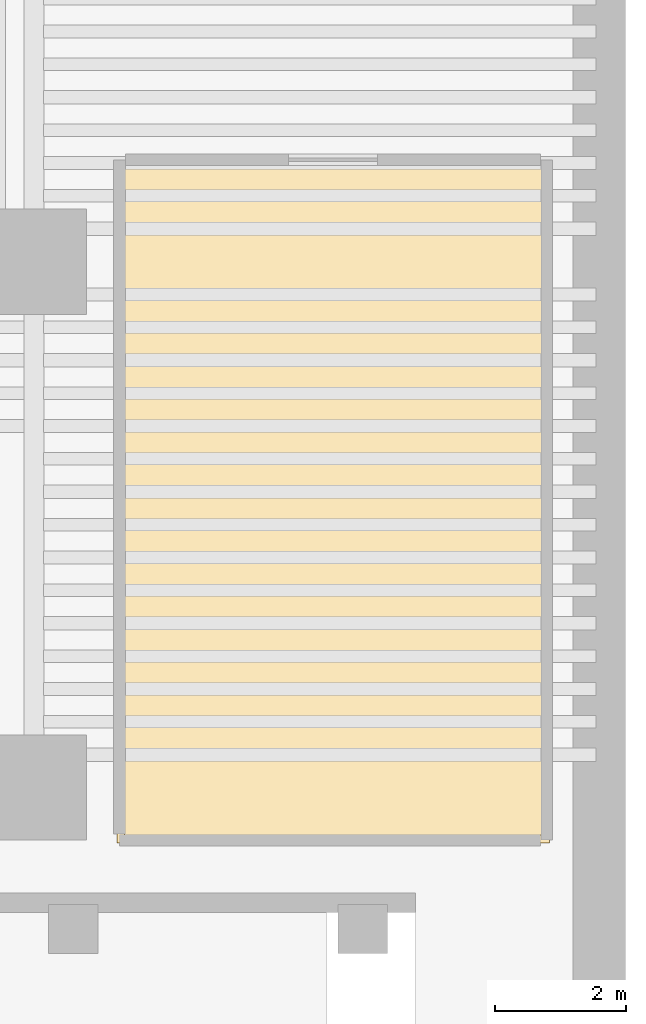
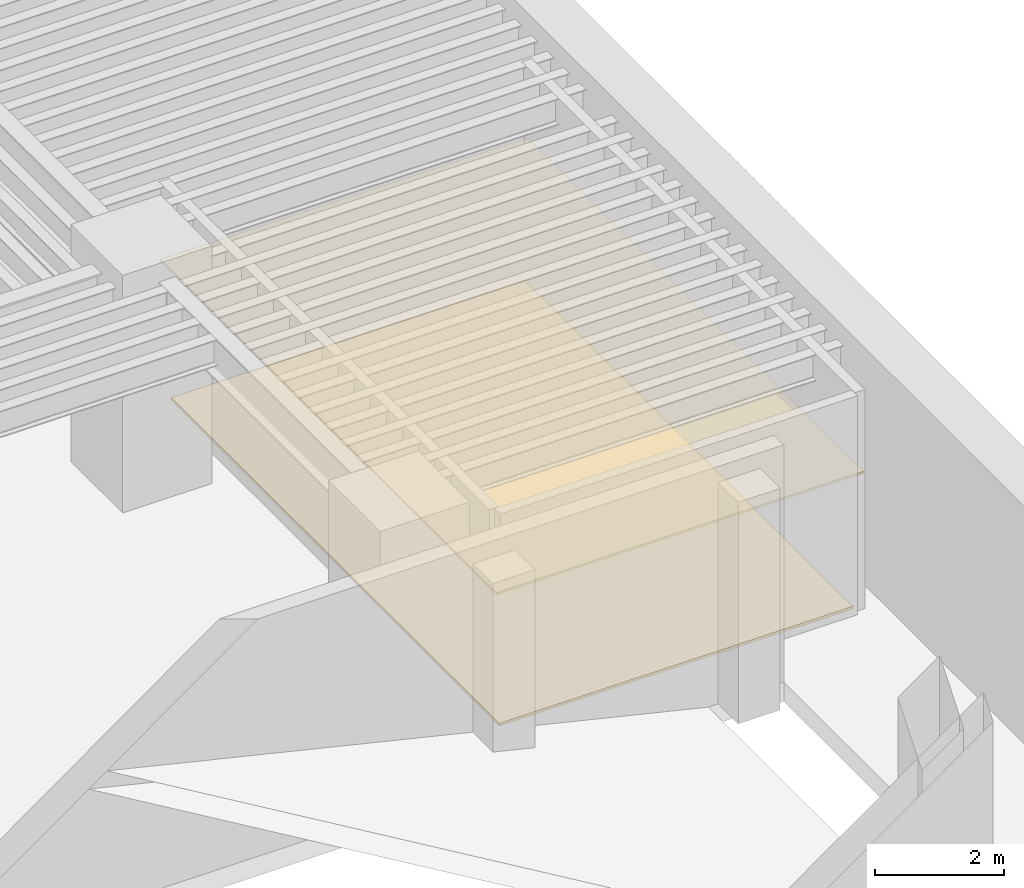
# One storey, part 7 of 9: 2 coverings.
"""IFC4 building model written with IfcOpenShell, lengths in metres."""

from ifc_helpers import new_model, si_unit, direction, frame, origin, place, context, subcontext, project, spatial, polyline, outline, extrude, material, layer, layer_set, type_object, element, save


model = new_model("IFC4")

# Units and contexts
model_context = context("Model", 3, precision=1e-05, world=origin(), true_north=direction((0.0, 1.0)))
body_context = subcontext(model_context, "Body", "Model", "MODEL_VIEW")
ifc_project = project(units=[si_unit("LENGTHUNIT", "METRE"), si_unit("AREAUNIT", "SQUARE_METRE"), si_unit("VOLUMEUNIT", "CUBIC_METRE"), si_unit("PLANEANGLEUNIT", "RADIAN"), si_unit("MASSUNIT", "GRAM", prefix="KILO")], contexts=[model_context])

# Site, building, storey
site_placement = place(None, origin())
site = spatial("IfcSite", under=ifc_project, at=site_placement, CompositionType="ELEMENT")
building_placement = place(site_placement, origin())
building = spatial("IfcBuilding", under=site, at=building_placement, Name="Caeloran Harvest Quay", CompositionType="ELEMENT")
storey_placement = place(building_placement, frame((0.0, 0.0, -13.5)))
storey = spatial("IfcBuildingStorey", under=building, at=storey_placement, Name="B03", CompositionType="ELEMENT", Elevation=-13.5)

# Coverings
ifc_material_1 = material(Name="Perforated Mineral-Fibre Acoustic Ceiling Tile", Category="ceiling")
ifc_layer_1 = layer(ifc_material_1, 0.0400390625, Name="Perforated Mineral-Fibre Acoustic Ceiling Tile")
ifc_layer_set_1 = layer_set([ifc_layer_1], Name="Perforated Mineral-Fibre Acoustic Ceiling Tile")
covering_type_1 = type_object("IfcCoveringType", Name="COV-CEILING-ACOUSTIC", PredefinedType="CEILING", material=ifc_layer_set_1)
covering_1_placement = place(storey_placement, frame((0.0, 0.0, 2.60009765625)))
element("IfcCovering", 1, at=covering_1_placement, inside=storey, type_object=covering_type_1, Name="Hydroponic Nutrient Fertigation Mixing Reservoir Plant Acoustic Ceiling", PredefinedType="CEILING", context=body_context, shape_type="SweptSolid", body=[
    extrude(outline(polyline([(58.840087890625, 24.590087890625), (58.840087890625, 14.159912109375), (52.260009765625, 14.159912109375), (52.260009765625, 24.590087890625), (58.840087890625, 24.590087890625)])), origin(), (0.0, 0.0, 1.0), 0.039794921875),
])
ifc_material_2 = material(Name="Calcium-Sulphate Raised Access Floor and Terrazzo Finish", Category="flooring")
ifc_layer_2 = layer(ifc_material_2, 0.050048828125, Name="Calcium-Sulphate Raised Access Floor and Terrazzo Finish")
ifc_layer_set_2 = layer_set([ifc_layer_2], Name="Calcium-Sulphate Raised Access Floor and Terrazzo Finish")
covering_type_2 = type_object("IfcCoveringType", Name="COV-FLOOR-RAISED", PredefinedType="FLOORING", material=ifc_layer_set_2)
covering_2_placement = place(storey_placement, origin())
element("IfcCovering", 2, at=covering_2_placement, inside=storey, type_object=covering_type_2, Name="Hydroponic Nutrient Fertigation Mixing Reservoir Plant Raised Finish Flooring", PredefinedType="FLOORING", context=body_context, shape_type="SweptSolid", body=[
    extrude(outline(polyline([(58.719970703125, 24.469970703125), (58.719970703125, 14.280029296875), (52.3798828125, 14.280029296875), (52.3798828125, 24.469970703125), (58.719970703125, 24.469970703125)])), origin(), (0.0, 0.0, 1.0), 0.050048828125),
])

save(model, "model.ifc")
